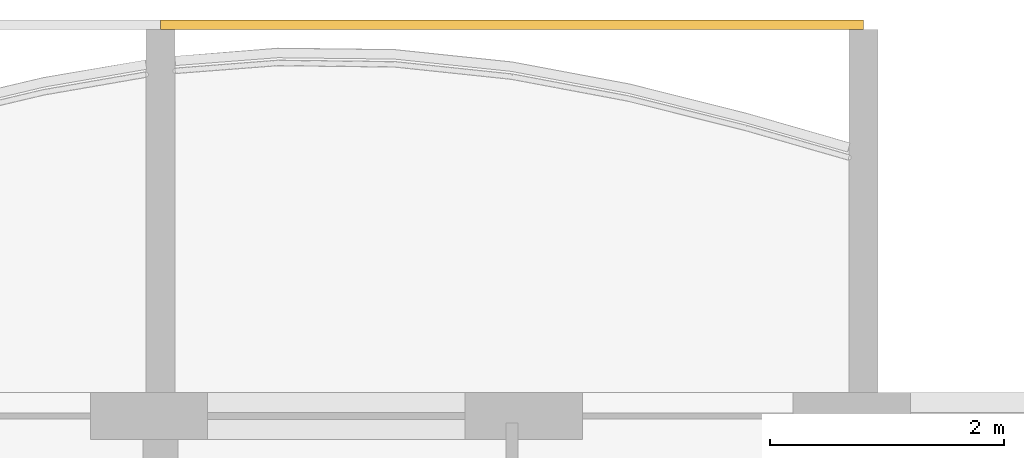
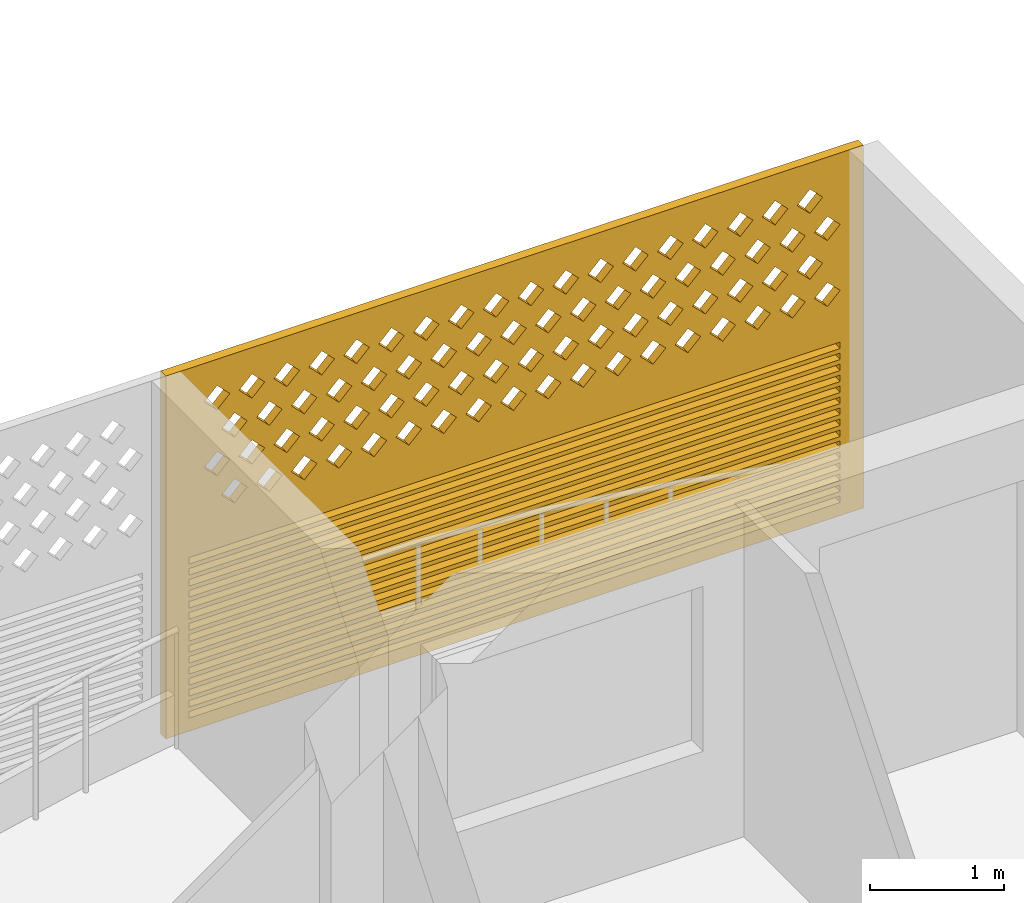
# One storey, part 20 of 26: 1 covering.
"""IFC4 building model written with IfcOpenShell, lengths in metres."""

from ifc_helpers import new_model, si_unit, direction, frame, origin, place, context, subcontext, project, spatial, polyline, outline, extrude, source, transform, mapped, material, material_profile, profile_set, type_object, element, save


model = new_model("IFC4")

# Units and contexts
model_context = context("Model", 3, precision=1e-05, world=origin(), true_north=direction((0.0, 1.0)))
body_context = subcontext(model_context, "Body", "Model", "MODEL_VIEW")
ifc_project = project(units=[si_unit("LENGTHUNIT", "METRE"), si_unit("AREAUNIT", "SQUARE_METRE"), si_unit("VOLUMEUNIT", "CUBIC_METRE"), si_unit("PLANEANGLEUNIT", "RADIAN"), si_unit("MASSUNIT", "GRAM", prefix="KILO")], contexts=[model_context])

# Site, building, storey
site_placement = place(None, origin())
site = spatial("IfcSite", under=ifc_project, at=site_placement, CompositionType="ELEMENT")
building_placement = place(site_placement, origin())
building = spatial("IfcBuilding", under=site, at=building_placement, Name="Poui Terraces", CompositionType="ELEMENT")
storey_placement = place(building_placement, frame((0.0, 0.0, 162.0)))
storey = spatial("IfcBuildingStorey", under=building, at=storey_placement, Name="L45", CompositionType="ELEMENT", Elevation=162.0)

# Covering
ifc_material = material(Name="Terracotta screen", Category="masonry")
ifc_material_profile = material_profile(ifc_material, outline(polyline([(-3.0, -1.64990234375), (3.0, -1.64990234375), (3.0, 1.64990234375), (-3.0, 1.64990234375), (-3.0, -1.64990234375)]), holes=[polyline([(-2.800048828125, 0.39990234375), (-2.68994140625, 0.2900390625), (-2.580078125, 0.39990234375), (-2.68994140625, 0.510009765625), (-2.800048828125, 0.39990234375)]), polyline([(-2.5, 0.39990234375), (-2.389892578125, 0.2900390625), (-2.280029296875, 0.39990234375), (-2.389892578125, 0.510009765625), (-2.5, 0.39990234375)]), polyline([(-2.199951171875, 0.39990234375), (-2.090087890625, 0.2900390625), (-1.97998046875, 0.39990234375), (-2.090087890625, 0.510009765625), (-2.199951171875, 0.39990234375)]), polyline([(-1.89990234375, 0.39990234375), (-1.7900390625, 0.2900390625), (-1.679931640625, 0.39990234375), (-1.7900390625, 0.510009765625), (-1.89990234375, 0.39990234375)]), polyline([(-1.60009765625, 0.39990234375), (-1.489990234375, 0.2900390625), (-1.3798828125, 0.39990234375), (-1.489990234375, 0.510009765625), (-1.60009765625, 0.39990234375)]), polyline([(-1.300048828125, 0.39990234375), (-1.18994140625, 0.2900390625), (-1.080078125, 0.39990234375), (-1.18994140625, 0.510009765625), (-1.300048828125, 0.39990234375)]), polyline([(-1.0, 0.39990234375), (-0.889892578125, 0.2900390625), (-0.780029296875, 0.39990234375), (-0.889892578125, 0.510009765625), (-1.0, 0.39990234375)]), polyline([(-0.699951171875, 0.39990234375), (-0.590087890625, 0.2900390625), (-0.47998046875, 0.39990234375), (-0.590087890625, 0.510009765625), (-0.699951171875, 0.39990234375)]), polyline([(-0.39990234375, 0.39990234375), (-0.2900390625, 0.2900390625), (-0.179931640625, 0.39990234375), (-0.2900390625, 0.510009765625), (-0.39990234375, 0.39990234375)]), polyline([(-0.10009765625, 0.39990234375), (0.010009765625, 0.2900390625), (0.1201171875, 0.39990234375), (0.010009765625, 0.510009765625), (-0.10009765625, 0.39990234375)]), polyline([(0.199951171875, 0.39990234375), (0.31005859375, 0.2900390625), (0.419921875, 0.39990234375), (0.31005859375, 0.510009765625), (0.199951171875, 0.39990234375)]), polyline([(0.5, 0.39990234375), (0.610107421875, 0.2900390625), (0.719970703125, 0.39990234375), (0.610107421875, 0.510009765625), (0.5, 0.39990234375)]), polyline([(0.800048828125, 0.39990234375), (0.909912109375, 0.2900390625), (1.02001953125, 0.39990234375), (0.909912109375, 0.510009765625), (0.800048828125, 0.39990234375)]), polyline([(1.10009765625, 0.39990234375), (1.2099609375, 0.2900390625), (1.320068359375, 0.39990234375), (1.2099609375, 0.510009765625), (1.10009765625, 0.39990234375)]), polyline([(1.39990234375, 0.39990234375), (1.510009765625, 0.2900390625), (1.6201171875, 0.39990234375), (1.510009765625, 0.510009765625), (1.39990234375, 0.39990234375)]), polyline([(1.699951171875, 0.39990234375), (1.81005859375, 0.2900390625), (1.919921875, 0.39990234375), (1.81005859375, 0.510009765625), (1.699951171875, 0.39990234375)]), polyline([(2.0, 0.39990234375), (2.110107421875, 0.2900390625), (2.219970703125, 0.39990234375), (2.110107421875, 0.510009765625), (2.0, 0.39990234375)]), polyline([(2.300048828125, 0.39990234375), (2.409912109375, 0.2900390625), (2.52001953125, 0.39990234375), (2.409912109375, 0.510009765625), (2.300048828125, 0.39990234375)]), polyline([(-2.64990234375, 0.699951171875), (-2.5400390625, 0.590087890625), (-2.429931640625, 0.699951171875), (-2.5400390625, 0.81005859375), (-2.64990234375, 0.699951171875)]), polyline([(-2.35009765625, 0.699951171875), (-2.239990234375, 0.590087890625), (-2.1298828125, 0.699951171875), (-2.239990234375, 0.81005859375), (-2.35009765625, 0.699951171875)]), polyline([(-2.050048828125, 0.699951171875), (-1.93994140625, 0.590087890625), (-1.830078125, 0.699951171875), (-1.93994140625, 0.81005859375), (-2.050048828125, 0.699951171875)]), polyline([(-1.75, 0.699951171875), (-1.639892578125, 0.590087890625), (-1.530029296875, 0.699951171875), (-1.639892578125, 0.81005859375), (-1.75, 0.699951171875)]), polyline([(-1.449951171875, 0.699951171875), (-1.340087890625, 0.590087890625), (-1.22998046875, 0.699951171875), (-1.340087890625, 0.81005859375), (-1.449951171875, 0.699951171875)]), polyline([(-1.14990234375, 0.699951171875), (-1.0400390625, 0.590087890625), (-0.929931640625, 0.699951171875), (-1.0400390625, 0.81005859375), (-1.14990234375, 0.699951171875)]), polyline([(-0.85009765625, 0.699951171875), (-0.739990234375, 0.590087890625), (-0.6298828125, 0.699951171875), (-0.739990234375, 0.81005859375), (-0.85009765625, 0.699951171875)]), polyline([(-0.550048828125, 0.699951171875), (-0.43994140625, 0.590087890625), (-0.330078125, 0.699951171875), (-0.43994140625, 0.81005859375), (-0.550048828125, 0.699951171875)]), polyline([(-0.25, 0.699951171875), (-0.139892578125, 0.590087890625), (-0.030029296875, 0.699951171875), (-0.139892578125, 0.81005859375), (-0.25, 0.699951171875)]), polyline([(0.050048828125, 0.699951171875), (0.159912109375, 0.590087890625), (0.27001953125, 0.699951171875), (0.159912109375, 0.81005859375), (0.050048828125, 0.699951171875)]), polyline([(0.35009765625, 0.699951171875), (0.4599609375, 0.590087890625), (0.570068359375, 0.699951171875), (0.4599609375, 0.81005859375), (0.35009765625, 0.699951171875)]), polyline([(0.64990234375, 0.699951171875), (0.760009765625, 0.590087890625), (0.8701171875, 0.699951171875), (0.760009765625, 0.81005859375), (0.64990234375, 0.699951171875)]), polyline([(0.949951171875, 0.699951171875), (1.06005859375, 0.590087890625), (1.169921875, 0.699951171875), (1.06005859375, 0.81005859375), (0.949951171875, 0.699951171875)]), polyline([(1.25, 0.699951171875), (1.360107421875, 0.590087890625), (1.469970703125, 0.699951171875), (1.360107421875, 0.81005859375), (1.25, 0.699951171875)]), polyline([(1.550048828125, 0.699951171875), (1.659912109375, 0.590087890625), (1.77001953125, 0.699951171875), (1.659912109375, 0.81005859375), (1.550048828125, 0.699951171875)]), polyline([(1.85009765625, 0.699951171875), (1.9599609375, 0.590087890625), (2.070068359375, 0.699951171875), (1.9599609375, 0.81005859375), (1.85009765625, 0.699951171875)]), polyline([(2.14990234375, 0.699951171875), (2.260009765625, 0.590087890625), (2.3701171875, 0.699951171875), (2.260009765625, 0.81005859375), (2.14990234375, 0.699951171875)]), polyline([(2.449951171875, 0.699951171875), (2.56005859375, 0.590087890625), (2.669921875, 0.699951171875), (2.56005859375, 0.81005859375), (2.449951171875, 0.699951171875)]), polyline([(-2.800048828125, 1.0), (-2.68994140625, 0.889892578125), (-2.580078125, 1.0), (-2.68994140625, 1.110107421875), (-2.800048828125, 1.0)]), polyline([(-2.5, 1.0), (-2.389892578125, 0.889892578125), (-2.280029296875, 1.0), (-2.389892578125, 1.110107421875), (-2.5, 1.0)]), polyline([(-2.199951171875, 1.0), (-2.090087890625, 0.889892578125), (-1.97998046875, 1.0), (-2.090087890625, 1.110107421875), (-2.199951171875, 1.0)]), polyline([(-1.89990234375, 1.0), (-1.7900390625, 0.889892578125), (-1.679931640625, 1.0), (-1.7900390625, 1.110107421875), (-1.89990234375, 1.0)]), polyline([(-1.60009765625, 1.0), (-1.489990234375, 0.889892578125), (-1.3798828125, 1.0), (-1.489990234375, 1.110107421875), (-1.60009765625, 1.0)]), polyline([(-1.300048828125, 1.0), (-1.18994140625, 0.889892578125), (-1.080078125, 1.0), (-1.18994140625, 1.110107421875), (-1.300048828125, 1.0)]), polyline([(-1.0, 1.0), (-0.889892578125, 0.889892578125), (-0.780029296875, 1.0), (-0.889892578125, 1.110107421875), (-1.0, 1.0)]), polyline([(-0.699951171875, 1.0), (-0.590087890625, 0.889892578125), (-0.47998046875, 1.0), (-0.590087890625, 1.110107421875), (-0.699951171875, 1.0)]), polyline([(-0.39990234375, 1.0), (-0.2900390625, 0.889892578125), (-0.179931640625, 1.0), (-0.2900390625, 1.110107421875), (-0.39990234375, 1.0)]), polyline([(-0.10009765625, 1.0), (0.010009765625, 0.889892578125), (0.1201171875, 1.0), (0.010009765625, 1.110107421875), (-0.10009765625, 1.0)]), polyline([(0.199951171875, 1.0), (0.31005859375, 0.889892578125), (0.419921875, 1.0), (0.31005859375, 1.110107421875), (0.199951171875, 1.0)]), polyline([(0.5, 1.0), (0.610107421875, 0.889892578125), (0.719970703125, 1.0), (0.610107421875, 1.110107421875), (0.5, 1.0)]), polyline([(0.800048828125, 1.0), (0.909912109375, 0.889892578125), (1.02001953125, 1.0), (0.909912109375, 1.110107421875), (0.800048828125, 1.0)]), polyline([(1.10009765625, 1.0), (1.2099609375, 0.889892578125), (1.320068359375, 1.0), (1.2099609375, 1.110107421875), (1.10009765625, 1.0)]), polyline([(1.39990234375, 1.0), (1.510009765625, 0.889892578125), (1.6201171875, 1.0), (1.510009765625, 1.110107421875), (1.39990234375, 1.0)]), polyline([(1.699951171875, 1.0), (1.81005859375, 0.889892578125), (1.919921875, 1.0), (1.81005859375, 1.110107421875), (1.699951171875, 1.0)]), polyline([(2.0, 1.0), (2.110107421875, 0.889892578125), (2.219970703125, 1.0), (2.110107421875, 1.110107421875), (2.0, 1.0)]), polyline([(2.300048828125, 1.0), (2.409912109375, 0.889892578125), (2.52001953125, 1.0), (2.409912109375, 1.110107421875), (2.300048828125, 1.0)]), polyline([(-2.64990234375, 1.300048828125), (-2.5400390625, 1.18994140625), (-2.429931640625, 1.300048828125), (-2.5400390625, 1.409912109375), (-2.64990234375, 1.300048828125)]), polyline([(-2.35009765625, 1.300048828125), (-2.239990234375, 1.18994140625), (-2.1298828125, 1.300048828125), (-2.239990234375, 1.409912109375), (-2.35009765625, 1.300048828125)]), polyline([(-2.050048828125, 1.300048828125), (-1.93994140625, 1.18994140625), (-1.830078125, 1.300048828125), (-1.93994140625, 1.409912109375), (-2.050048828125, 1.300048828125)]), polyline([(-1.75, 1.300048828125), (-1.639892578125, 1.18994140625), (-1.530029296875, 1.300048828125), (-1.639892578125, 1.409912109375), (-1.75, 1.300048828125)]), polyline([(-1.449951171875, 1.300048828125), (-1.340087890625, 1.18994140625), (-1.22998046875, 1.300048828125), (-1.340087890625, 1.409912109375), (-1.449951171875, 1.300048828125)]), polyline([(-1.14990234375, 1.300048828125), (-1.0400390625, 1.18994140625), (-0.929931640625, 1.300048828125), (-1.0400390625, 1.409912109375), (-1.14990234375, 1.300048828125)]), polyline([(-0.85009765625, 1.300048828125), (-0.739990234375, 1.18994140625), (-0.6298828125, 1.300048828125), (-0.739990234375, 1.409912109375), (-0.85009765625, 1.300048828125)]), polyline([(-0.550048828125, 1.300048828125), (-0.43994140625, 1.18994140625), (-0.330078125, 1.300048828125), (-0.43994140625, 1.409912109375), (-0.550048828125, 1.300048828125)]), polyline([(-0.25, 1.300048828125), (-0.139892578125, 1.18994140625), (-0.030029296875, 1.300048828125), (-0.139892578125, 1.409912109375), (-0.25, 1.300048828125)]), polyline([(0.050048828125, 1.300048828125), (0.159912109375, 1.18994140625), (0.27001953125, 1.300048828125), (0.159912109375, 1.409912109375), (0.050048828125, 1.300048828125)]), polyline([(0.35009765625, 1.300048828125), (0.4599609375, 1.18994140625), (0.570068359375, 1.300048828125), (0.4599609375, 1.409912109375), (0.35009765625, 1.300048828125)]), polyline([(0.64990234375, 1.300048828125), (0.760009765625, 1.18994140625), (0.8701171875, 1.300048828125), (0.760009765625, 1.409912109375), (0.64990234375, 1.300048828125)]), polyline([(0.949951171875, 1.300048828125), (1.06005859375, 1.18994140625), (1.169921875, 1.300048828125), (1.06005859375, 1.409912109375), (0.949951171875, 1.300048828125)]), polyline([(1.25, 1.300048828125), (1.360107421875, 1.18994140625), (1.469970703125, 1.300048828125), (1.360107421875, 1.409912109375), (1.25, 1.300048828125)]), polyline([(1.550048828125, 1.300048828125), (1.659912109375, 1.18994140625), (1.77001953125, 1.300048828125), (1.659912109375, 1.409912109375), (1.550048828125, 1.300048828125)]), polyline([(1.85009765625, 1.300048828125), (1.9599609375, 1.18994140625), (2.070068359375, 1.300048828125), (1.9599609375, 1.409912109375), (1.85009765625, 1.300048828125)]), polyline([(2.14990234375, 1.300048828125), (2.260009765625, 1.18994140625), (2.3701171875, 1.300048828125), (2.260009765625, 1.409912109375), (2.14990234375, 1.300048828125)]), polyline([(2.449951171875, 1.300048828125), (2.56005859375, 1.18994140625), (2.669921875, 1.300048828125), (2.56005859375, 1.409912109375), (2.449951171875, 1.300048828125)]), polyline([(-2.800048828125, -1.530029296875), (2.800048828125, -1.530029296875), (2.800048828125, -1.469970703125), (-2.800048828125, -1.469970703125), (-2.800048828125, -1.530029296875)]), polyline([(-2.800048828125, -1.429931640625), (2.800048828125, -1.429931640625), (2.800048828125, -1.3701171875), (-2.800048828125, -1.3701171875), (-2.800048828125, -1.429931640625)]), polyline([(-2.800048828125, -1.330078125), (2.800048828125, -1.330078125), (2.800048828125, -1.27001953125), (-2.800048828125, -1.27001953125), (-2.800048828125, -1.330078125)]), polyline([(-2.800048828125, -1.22998046875), (2.800048828125, -1.22998046875), (2.800048828125, -1.169921875), (-2.800048828125, -1.169921875), (-2.800048828125, -1.22998046875)]), polyline([(-2.800048828125, -1.1298828125), (2.800048828125, -1.1298828125), (2.800048828125, -1.070068359375), (-2.800048828125, -1.070068359375), (-2.800048828125, -1.1298828125)]), polyline([(-2.800048828125, -1.030029296875), (2.800048828125, -1.030029296875), (2.800048828125, -0.969970703125), (-2.800048828125, -0.969970703125), (-2.800048828125, -1.030029296875)]), polyline([(-2.800048828125, -0.929931640625), (2.800048828125, -0.929931640625), (2.800048828125, -0.8701171875), (-2.800048828125, -0.8701171875), (-2.800048828125, -0.929931640625)]), polyline([(-2.800048828125, -0.830078125), (2.800048828125, -0.830078125), (2.800048828125, -0.77001953125), (-2.800048828125, -0.77001953125), (-2.800048828125, -0.830078125)]), polyline([(-2.800048828125, -0.72998046875), (2.800048828125, -0.72998046875), (2.800048828125, -0.669921875), (-2.800048828125, -0.669921875), (-2.800048828125, -0.72998046875)]), polyline([(-2.800048828125, -0.6298828125), (2.800048828125, -0.6298828125), (2.800048828125, -0.570068359375), (-2.800048828125, -0.570068359375), (-2.800048828125, -0.6298828125)]), polyline([(-2.800048828125, -0.530029296875), (2.800048828125, -0.530029296875), (2.800048828125, -0.469970703125), (-2.800048828125, -0.469970703125), (-2.800048828125, -0.530029296875)]), polyline([(-2.800048828125, -0.429931640625), (2.800048828125, -0.429931640625), (2.800048828125, -0.3701171875), (-2.800048828125, -0.3701171875), (-2.800048828125, -0.429931640625)]), polyline([(-2.800048828125, -0.330078125), (2.800048828125, -0.330078125), (2.800048828125, -0.27001953125), (-2.800048828125, -0.27001953125), (-2.800048828125, -0.330078125)]), polyline([(-2.800048828125, -0.22998046875), (2.800048828125, -0.22998046875), (2.800048828125, -0.169921875), (-2.800048828125, -0.169921875), (-2.800048828125, -0.22998046875)]), polyline([(-2.800048828125, -0.1298828125), (2.800048828125, -0.1298828125), (2.800048828125, -0.070068359375), (-2.800048828125, -0.070068359375), (-2.800048828125, -0.1298828125)])]), Name="TERRACOTTA SCREEN AND JALOUSIE LOUVRE 6000X3300")
ifc_profile_set = profile_set([ifc_material_profile], Name="Terracotta screen")
covering_type = type_object("IfcCoveringType", Name="TERRACOTTA SCREEN AND JALOUSIE LOUVRE 6000X3300", PredefinedType="CLADDING", material=ifc_profile_set)
shared_shape = source(origin(), body_context, "Body", "SweptSolid", [
    extrude(outline(polyline([(-3.0, -1.64990234375), (3.0, -1.64990234375), (3.0, 1.64990234375), (-3.0, 1.64990234375), (-3.0, -1.64990234375)]), holes=[polyline([(-2.800048828125, 0.39990234375), (-2.68994140625, 0.2900390625), (-2.580078125, 0.39990234375), (-2.68994140625, 0.510009765625), (-2.800048828125, 0.39990234375)]), polyline([(-2.5, 0.39990234375), (-2.389892578125, 0.2900390625), (-2.280029296875, 0.39990234375), (-2.389892578125, 0.510009765625), (-2.5, 0.39990234375)]), polyline([(-2.199951171875, 0.39990234375), (-2.090087890625, 0.2900390625), (-1.97998046875, 0.39990234375), (-2.090087890625, 0.510009765625), (-2.199951171875, 0.39990234375)]), polyline([(-1.89990234375, 0.39990234375), (-1.7900390625, 0.2900390625), (-1.679931640625, 0.39990234375), (-1.7900390625, 0.510009765625), (-1.89990234375, 0.39990234375)]), polyline([(-1.60009765625, 0.39990234375), (-1.489990234375, 0.2900390625), (-1.3798828125, 0.39990234375), (-1.489990234375, 0.510009765625), (-1.60009765625, 0.39990234375)]), polyline([(-1.300048828125, 0.39990234375), (-1.18994140625, 0.2900390625), (-1.080078125, 0.39990234375), (-1.18994140625, 0.510009765625), (-1.300048828125, 0.39990234375)]), polyline([(-1.0, 0.39990234375), (-0.889892578125, 0.2900390625), (-0.780029296875, 0.39990234375), (-0.889892578125, 0.510009765625), (-1.0, 0.39990234375)]), polyline([(-0.699951171875, 0.39990234375), (-0.590087890625, 0.2900390625), (-0.47998046875, 0.39990234375), (-0.590087890625, 0.510009765625), (-0.699951171875, 0.39990234375)]), polyline([(-0.39990234375, 0.39990234375), (-0.2900390625, 0.2900390625), (-0.179931640625, 0.39990234375), (-0.2900390625, 0.510009765625), (-0.39990234375, 0.39990234375)]), polyline([(-0.10009765625, 0.39990234375), (0.010009765625, 0.2900390625), (0.1201171875, 0.39990234375), (0.010009765625, 0.510009765625), (-0.10009765625, 0.39990234375)]), polyline([(0.199951171875, 0.39990234375), (0.31005859375, 0.2900390625), (0.419921875, 0.39990234375), (0.31005859375, 0.510009765625), (0.199951171875, 0.39990234375)]), polyline([(0.5, 0.39990234375), (0.610107421875, 0.2900390625), (0.719970703125, 0.39990234375), (0.610107421875, 0.510009765625), (0.5, 0.39990234375)]), polyline([(0.800048828125, 0.39990234375), (0.909912109375, 0.2900390625), (1.02001953125, 0.39990234375), (0.909912109375, 0.510009765625), (0.800048828125, 0.39990234375)]), polyline([(1.10009765625, 0.39990234375), (1.2099609375, 0.2900390625), (1.320068359375, 0.39990234375), (1.2099609375, 0.510009765625), (1.10009765625, 0.39990234375)]), polyline([(1.39990234375, 0.39990234375), (1.510009765625, 0.2900390625), (1.6201171875, 0.39990234375), (1.510009765625, 0.510009765625), (1.39990234375, 0.39990234375)]), polyline([(1.699951171875, 0.39990234375), (1.81005859375, 0.2900390625), (1.919921875, 0.39990234375), (1.81005859375, 0.510009765625), (1.699951171875, 0.39990234375)]), polyline([(2.0, 0.39990234375), (2.110107421875, 0.2900390625), (2.219970703125, 0.39990234375), (2.110107421875, 0.510009765625), (2.0, 0.39990234375)]), polyline([(2.300048828125, 0.39990234375), (2.409912109375, 0.2900390625), (2.52001953125, 0.39990234375), (2.409912109375, 0.510009765625), (2.300048828125, 0.39990234375)]), polyline([(-2.64990234375, 0.699951171875), (-2.5400390625, 0.590087890625), (-2.429931640625, 0.699951171875), (-2.5400390625, 0.81005859375), (-2.64990234375, 0.699951171875)]), polyline([(-2.35009765625, 0.699951171875), (-2.239990234375, 0.590087890625), (-2.1298828125, 0.699951171875), (-2.239990234375, 0.81005859375), (-2.35009765625, 0.699951171875)]), polyline([(-2.050048828125, 0.699951171875), (-1.93994140625, 0.590087890625), (-1.830078125, 0.699951171875), (-1.93994140625, 0.81005859375), (-2.050048828125, 0.699951171875)]), polyline([(-1.75, 0.699951171875), (-1.639892578125, 0.590087890625), (-1.530029296875, 0.699951171875), (-1.639892578125, 0.81005859375), (-1.75, 0.699951171875)]), polyline([(-1.449951171875, 0.699951171875), (-1.340087890625, 0.590087890625), (-1.22998046875, 0.699951171875), (-1.340087890625, 0.81005859375), (-1.449951171875, 0.699951171875)]), polyline([(-1.14990234375, 0.699951171875), (-1.0400390625, 0.590087890625), (-0.929931640625, 0.699951171875), (-1.0400390625, 0.81005859375), (-1.14990234375, 0.699951171875)]), polyline([(-0.85009765625, 0.699951171875), (-0.739990234375, 0.590087890625), (-0.6298828125, 0.699951171875), (-0.739990234375, 0.81005859375), (-0.85009765625, 0.699951171875)]), polyline([(-0.550048828125, 0.699951171875), (-0.43994140625, 0.590087890625), (-0.330078125, 0.699951171875), (-0.43994140625, 0.81005859375), (-0.550048828125, 0.699951171875)]), polyline([(-0.25, 0.699951171875), (-0.139892578125, 0.590087890625), (-0.030029296875, 0.699951171875), (-0.139892578125, 0.81005859375), (-0.25, 0.699951171875)]), polyline([(0.050048828125, 0.699951171875), (0.159912109375, 0.590087890625), (0.27001953125, 0.699951171875), (0.159912109375, 0.81005859375), (0.050048828125, 0.699951171875)]), polyline([(0.35009765625, 0.699951171875), (0.4599609375, 0.590087890625), (0.570068359375, 0.699951171875), (0.4599609375, 0.81005859375), (0.35009765625, 0.699951171875)]), polyline([(0.64990234375, 0.699951171875), (0.760009765625, 0.590087890625), (0.8701171875, 0.699951171875), (0.760009765625, 0.81005859375), (0.64990234375, 0.699951171875)]), polyline([(0.949951171875, 0.699951171875), (1.06005859375, 0.590087890625), (1.169921875, 0.699951171875), (1.06005859375, 0.81005859375), (0.949951171875, 0.699951171875)]), polyline([(1.25, 0.699951171875), (1.360107421875, 0.590087890625), (1.469970703125, 0.699951171875), (1.360107421875, 0.81005859375), (1.25, 0.699951171875)]), polyline([(1.550048828125, 0.699951171875), (1.659912109375, 0.590087890625), (1.77001953125, 0.699951171875), (1.659912109375, 0.81005859375), (1.550048828125, 0.699951171875)]), polyline([(1.85009765625, 0.699951171875), (1.9599609375, 0.590087890625), (2.070068359375, 0.699951171875), (1.9599609375, 0.81005859375), (1.85009765625, 0.699951171875)]), polyline([(2.14990234375, 0.699951171875), (2.260009765625, 0.590087890625), (2.3701171875, 0.699951171875), (2.260009765625, 0.81005859375), (2.14990234375, 0.699951171875)]), polyline([(2.449951171875, 0.699951171875), (2.56005859375, 0.590087890625), (2.669921875, 0.699951171875), (2.56005859375, 0.81005859375), (2.449951171875, 0.699951171875)]), polyline([(-2.800048828125, 1.0), (-2.68994140625, 0.889892578125), (-2.580078125, 1.0), (-2.68994140625, 1.110107421875), (-2.800048828125, 1.0)]), polyline([(-2.5, 1.0), (-2.389892578125, 0.889892578125), (-2.280029296875, 1.0), (-2.389892578125, 1.110107421875), (-2.5, 1.0)]), polyline([(-2.199951171875, 1.0), (-2.090087890625, 0.889892578125), (-1.97998046875, 1.0), (-2.090087890625, 1.110107421875), (-2.199951171875, 1.0)]), polyline([(-1.89990234375, 1.0), (-1.7900390625, 0.889892578125), (-1.679931640625, 1.0), (-1.7900390625, 1.110107421875), (-1.89990234375, 1.0)]), polyline([(-1.60009765625, 1.0), (-1.489990234375, 0.889892578125), (-1.3798828125, 1.0), (-1.489990234375, 1.110107421875), (-1.60009765625, 1.0)]), polyline([(-1.300048828125, 1.0), (-1.18994140625, 0.889892578125), (-1.080078125, 1.0), (-1.18994140625, 1.110107421875), (-1.300048828125, 1.0)]), polyline([(-1.0, 1.0), (-0.889892578125, 0.889892578125), (-0.780029296875, 1.0), (-0.889892578125, 1.110107421875), (-1.0, 1.0)]), polyline([(-0.699951171875, 1.0), (-0.590087890625, 0.889892578125), (-0.47998046875, 1.0), (-0.590087890625, 1.110107421875), (-0.699951171875, 1.0)]), polyline([(-0.39990234375, 1.0), (-0.2900390625, 0.889892578125), (-0.179931640625, 1.0), (-0.2900390625, 1.110107421875), (-0.39990234375, 1.0)]), polyline([(-0.10009765625, 1.0), (0.010009765625, 0.889892578125), (0.1201171875, 1.0), (0.010009765625, 1.110107421875), (-0.10009765625, 1.0)]), polyline([(0.199951171875, 1.0), (0.31005859375, 0.889892578125), (0.419921875, 1.0), (0.31005859375, 1.110107421875), (0.199951171875, 1.0)]), polyline([(0.5, 1.0), (0.610107421875, 0.889892578125), (0.719970703125, 1.0), (0.610107421875, 1.110107421875), (0.5, 1.0)]), polyline([(0.800048828125, 1.0), (0.909912109375, 0.889892578125), (1.02001953125, 1.0), (0.909912109375, 1.110107421875), (0.800048828125, 1.0)]), polyline([(1.10009765625, 1.0), (1.2099609375, 0.889892578125), (1.320068359375, 1.0), (1.2099609375, 1.110107421875), (1.10009765625, 1.0)]), polyline([(1.39990234375, 1.0), (1.510009765625, 0.889892578125), (1.6201171875, 1.0), (1.510009765625, 1.110107421875), (1.39990234375, 1.0)]), polyline([(1.699951171875, 1.0), (1.81005859375, 0.889892578125), (1.919921875, 1.0), (1.81005859375, 1.110107421875), (1.699951171875, 1.0)]), polyline([(2.0, 1.0), (2.110107421875, 0.889892578125), (2.219970703125, 1.0), (2.110107421875, 1.110107421875), (2.0, 1.0)]), polyline([(2.300048828125, 1.0), (2.409912109375, 0.889892578125), (2.52001953125, 1.0), (2.409912109375, 1.110107421875), (2.300048828125, 1.0)]), polyline([(-2.64990234375, 1.300048828125), (-2.5400390625, 1.18994140625), (-2.429931640625, 1.300048828125), (-2.5400390625, 1.409912109375), (-2.64990234375, 1.300048828125)]), polyline([(-2.35009765625, 1.300048828125), (-2.239990234375, 1.18994140625), (-2.1298828125, 1.300048828125), (-2.239990234375, 1.409912109375), (-2.35009765625, 1.300048828125)]), polyline([(-2.050048828125, 1.300048828125), (-1.93994140625, 1.18994140625), (-1.830078125, 1.300048828125), (-1.93994140625, 1.409912109375), (-2.050048828125, 1.300048828125)]), polyline([(-1.75, 1.300048828125), (-1.639892578125, 1.18994140625), (-1.530029296875, 1.300048828125), (-1.639892578125, 1.409912109375), (-1.75, 1.300048828125)]), polyline([(-1.449951171875, 1.300048828125), (-1.340087890625, 1.18994140625), (-1.22998046875, 1.300048828125), (-1.340087890625, 1.409912109375), (-1.449951171875, 1.300048828125)]), polyline([(-1.14990234375, 1.300048828125), (-1.0400390625, 1.18994140625), (-0.929931640625, 1.300048828125), (-1.0400390625, 1.409912109375), (-1.14990234375, 1.300048828125)]), polyline([(-0.85009765625, 1.300048828125), (-0.739990234375, 1.18994140625), (-0.6298828125, 1.300048828125), (-0.739990234375, 1.409912109375), (-0.85009765625, 1.300048828125)]), polyline([(-0.550048828125, 1.300048828125), (-0.43994140625, 1.18994140625), (-0.330078125, 1.300048828125), (-0.43994140625, 1.409912109375), (-0.550048828125, 1.300048828125)]), polyline([(-0.25, 1.300048828125), (-0.139892578125, 1.18994140625), (-0.030029296875, 1.300048828125), (-0.139892578125, 1.409912109375), (-0.25, 1.300048828125)]), polyline([(0.050048828125, 1.300048828125), (0.159912109375, 1.18994140625), (0.27001953125, 1.300048828125), (0.159912109375, 1.409912109375), (0.050048828125, 1.300048828125)]), polyline([(0.35009765625, 1.300048828125), (0.4599609375, 1.18994140625), (0.570068359375, 1.300048828125), (0.4599609375, 1.409912109375), (0.35009765625, 1.300048828125)]), polyline([(0.64990234375, 1.300048828125), (0.760009765625, 1.18994140625), (0.8701171875, 1.300048828125), (0.760009765625, 1.409912109375), (0.64990234375, 1.300048828125)]), polyline([(0.949951171875, 1.300048828125), (1.06005859375, 1.18994140625), (1.169921875, 1.300048828125), (1.06005859375, 1.409912109375), (0.949951171875, 1.300048828125)]), polyline([(1.25, 1.300048828125), (1.360107421875, 1.18994140625), (1.469970703125, 1.300048828125), (1.360107421875, 1.409912109375), (1.25, 1.300048828125)]), polyline([(1.550048828125, 1.300048828125), (1.659912109375, 1.18994140625), (1.77001953125, 1.300048828125), (1.659912109375, 1.409912109375), (1.550048828125, 1.300048828125)]), polyline([(1.85009765625, 1.300048828125), (1.9599609375, 1.18994140625), (2.070068359375, 1.300048828125), (1.9599609375, 1.409912109375), (1.85009765625, 1.300048828125)]), polyline([(2.14990234375, 1.300048828125), (2.260009765625, 1.18994140625), (2.3701171875, 1.300048828125), (2.260009765625, 1.409912109375), (2.14990234375, 1.300048828125)]), polyline([(2.449951171875, 1.300048828125), (2.56005859375, 1.18994140625), (2.669921875, 1.300048828125), (2.56005859375, 1.409912109375), (2.449951171875, 1.300048828125)]), polyline([(-2.800048828125, -1.530029296875), (2.800048828125, -1.530029296875), (2.800048828125, -1.469970703125), (-2.800048828125, -1.469970703125), (-2.800048828125, -1.530029296875)]), polyline([(-2.800048828125, -1.429931640625), (2.800048828125, -1.429931640625), (2.800048828125, -1.3701171875), (-2.800048828125, -1.3701171875), (-2.800048828125, -1.429931640625)]), polyline([(-2.800048828125, -1.330078125), (2.800048828125, -1.330078125), (2.800048828125, -1.27001953125), (-2.800048828125, -1.27001953125), (-2.800048828125, -1.330078125)]), polyline([(-2.800048828125, -1.22998046875), (2.800048828125, -1.22998046875), (2.800048828125, -1.169921875), (-2.800048828125, -1.169921875), (-2.800048828125, -1.22998046875)]), polyline([(-2.800048828125, -1.1298828125), (2.800048828125, -1.1298828125), (2.800048828125, -1.070068359375), (-2.800048828125, -1.070068359375), (-2.800048828125, -1.1298828125)]), polyline([(-2.800048828125, -1.030029296875), (2.800048828125, -1.030029296875), (2.800048828125, -0.969970703125), (-2.800048828125, -0.969970703125), (-2.800048828125, -1.030029296875)]), polyline([(-2.800048828125, -0.929931640625), (2.800048828125, -0.929931640625), (2.800048828125, -0.8701171875), (-2.800048828125, -0.8701171875), (-2.800048828125, -0.929931640625)]), polyline([(-2.800048828125, -0.830078125), (2.800048828125, -0.830078125), (2.800048828125, -0.77001953125), (-2.800048828125, -0.77001953125), (-2.800048828125, -0.830078125)]), polyline([(-2.800048828125, -0.72998046875), (2.800048828125, -0.72998046875), (2.800048828125, -0.669921875), (-2.800048828125, -0.669921875), (-2.800048828125, -0.72998046875)]), polyline([(-2.800048828125, -0.6298828125), (2.800048828125, -0.6298828125), (2.800048828125, -0.570068359375), (-2.800048828125, -0.570068359375), (-2.800048828125, -0.6298828125)]), polyline([(-2.800048828125, -0.530029296875), (2.800048828125, -0.530029296875), (2.800048828125, -0.469970703125), (-2.800048828125, -0.469970703125), (-2.800048828125, -0.530029296875)]), polyline([(-2.800048828125, -0.429931640625), (2.800048828125, -0.429931640625), (2.800048828125, -0.3701171875), (-2.800048828125, -0.3701171875), (-2.800048828125, -0.429931640625)]), polyline([(-2.800048828125, -0.330078125), (2.800048828125, -0.330078125), (2.800048828125, -0.27001953125), (-2.800048828125, -0.27001953125), (-2.800048828125, -0.330078125)]), polyline([(-2.800048828125, -0.22998046875), (2.800048828125, -0.22998046875), (2.800048828125, -0.169921875), (-2.800048828125, -0.169921875), (-2.800048828125, -0.22998046875)]), polyline([(-2.800048828125, -0.1298828125), (2.800048828125, -0.1298828125), (2.800048828125, -0.070068359375), (-2.800048828125, -0.070068359375), (-2.800048828125, -0.1298828125)])]), origin(), (0.0, 0.0, 1.0), 0.080078125),
])
covering_placement = place(storey_placement, frame((39.0, 45.699951171875, 1.449951171875), z_axis=(0.0, 1.0, 0.0), x_axis=(-1.0, 0.0, 0.0)))
element("IfcCovering", 1, at=covering_placement, inside=storey, type_object=covering_type, Name="SOLAR SCREEN AND JALOUSIE LOUVRE", PredefinedType="CLADDING", context=body_context, shape_type="MappedRepresentation", body=[
    mapped(shared_shape, transform((0.0, 0.0, 0.0))),
])

save(model, "model.ifc")
